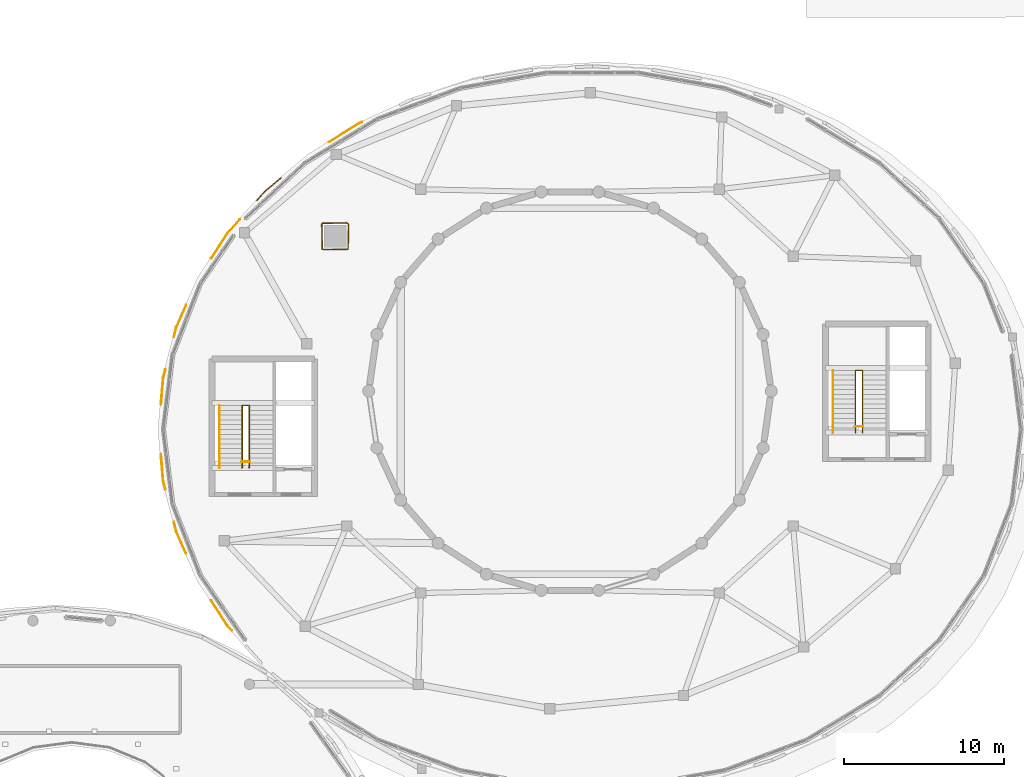
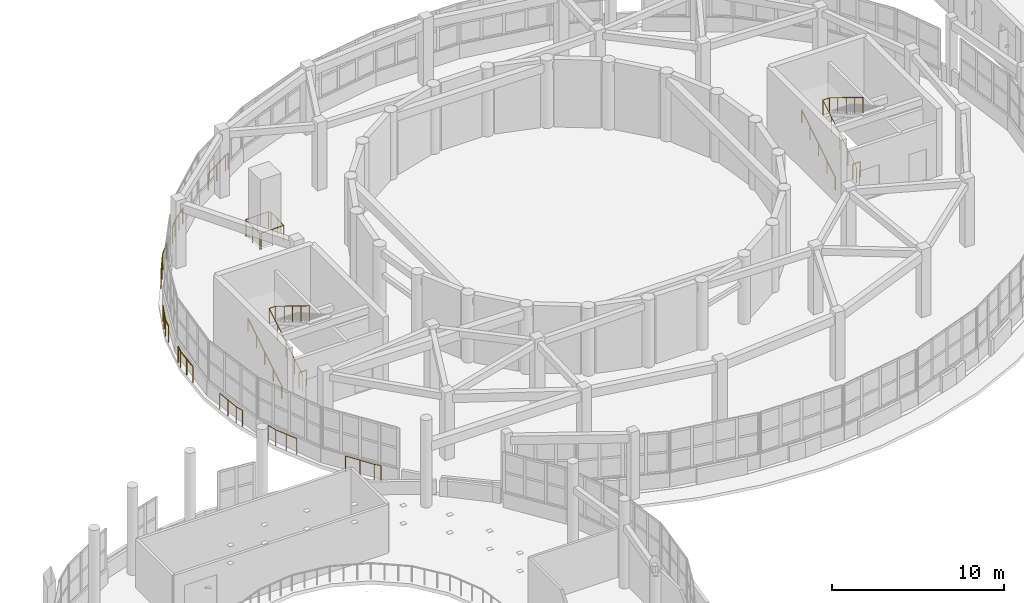
# One storey, part 103 of 105: 16 railings.
"""IFC4 building model written with IfcOpenShell, lengths in metres."""

from ifc_helpers import new_model, si_unit, direction, frame, origin, origin_2d, place, context, subcontext, project, spatial, circle, extrude, material, type_object, element, save


model = new_model("IFC4")

# Units and contexts
model_context = context("Model", 3, precision=1e-05, world=origin(), true_north=direction((0.0, 1.0)))
body_context = subcontext(model_context, "Body", "Model", "MODEL_VIEW")
ifc_project = project(units=[si_unit("LENGTHUNIT", "METRE"), si_unit("AREAUNIT", "SQUARE_METRE"), si_unit("VOLUMEUNIT", "CUBIC_METRE"), si_unit("PLANEANGLEUNIT", "RADIAN"), si_unit("MASSUNIT", "GRAM", prefix="KILO")], contexts=[model_context])

# Site, building, storey
site_placement = place(None, origin())
site = spatial("IfcSite", under=ifc_project, at=site_placement, CompositionType="ELEMENT")
building_placement = place(site_placement, origin())
building = spatial("IfcBuilding", under=site, at=building_placement, Name="Pelvatis Terrace Science Centre", CompositionType="ELEMENT")
storey_placement = place(building_placement, frame((0.0, 0.0, 10.199951171875)))
storey = spatial("IfcBuildingStorey", under=building, at=storey_placement, Name="L02", CompositionType="ELEMENT", Elevation=10.199951171875)

# Railings
ifc_material_1 = material(Name="Bronze-anodised aluminium and laminated safety glass balustrade", Category="aluminium")
railing_type_1 = type_object("IfcRailingType", Name="RLG-BAL-1150", PredefinedType="BALUSTRADE", material=ifc_material_1)
railing_1_placement = place(storey_placement, frame((83.593505859375, 84.960205078125, 0.0)))
element("IfcRailing", 1, at=railing_1_placement, inside=storey, type_object=railing_type_1, Name="Perimeter edge balustrade RLG-EDG-L02-248", PredefinedType="BALUSTRADE", context=body_context, shape_type="SweptSolid", body=[
    extrude(circle(Radius=0.02392578125, at=origin_2d()), frame((0.0, 0.0, 1.1259765625), z_axis=(0.084993175423, 0.996381533416, 0.0), x_axis=(-0.996381533416, 0.084993175423, 0.0)), (0.0, 0.0, 1.0), 1.680419921875),
    extrude(circle(Radius=0.02392578125, at=origin_2d()), frame((0.142822265625, 1.67431640625, 1.1259765625), z_axis=(0.250783542322, 0.968043188551, 0.0), x_axis=(-0.968043188551, 0.250783542322, 0.0)), (0.0, 0.0, 1.0), 0.521728515625),
    extrude(circle(Radius=0.02099609375, at=origin_2d()), origin(), (0.0, 0.0, 1.0), 1.101806640625),
    extrude(circle(Radius=0.02099609375, at=origin_2d()), frame((0.0712890625, 0.837158203125, 0.0)), (0.0, 0.0, 1.0), 1.101806640625),
    extrude(circle(Radius=0.02099609375, at=origin_2d()), frame((0.142822265625, 1.67431640625, 0.0)), (0.0, 0.0, 1.0), 1.101806640625),
    extrude(circle(Radius=0.02099609375, at=origin_2d()), frame((0.273681640625, 2.179443359375, 0.0)), (0.0, 0.0, 1.0), 1.101806640625),
])
railing_2_placement = place(storey_placement, frame((84.4033203125, 89.20556640625, 0.0)))
element("IfcRailing", 2, at=railing_2_placement, inside=storey, type_object=railing_type_1, Name="Perimeter edge balustrade RLG-EDG-L02-249", PredefinedType="BALUSTRADE", context=body_context, shape_type="SweptSolid", body=[
    extrude(circle(Radius=0.02392578125, at=origin_2d()), frame((0.0, 0.0, 1.1259765625), z_axis=(0.251263780133, 0.967918649884, 0.0), x_axis=(-0.967918649884, 0.251263780133, 0.0)), (0.0, 0.0, 1.0), 0.617919921875),
    extrude(circle(Radius=0.02392578125, at=origin_2d()), frame((0.1552734375, 0.59814453125, 1.1259765625), z_axis=(0.406591478377, 0.913610075312, 0.0), x_axis=(-0.913610075312, 0.406591478377, 0.0)), (0.0, 0.0, 1.0), 1.5),
    extrude(circle(Radius=0.02099609375, at=origin_2d()), origin(), (0.0, 0.0, 1.0), 1.101806640625),
    extrude(circle(Radius=0.02099609375, at=origin_2d()), frame((0.1552734375, 0.59814453125, 0.0)), (0.0, 0.0, 1.0), 1.101806640625),
    extrude(circle(Radius=0.02099609375, at=origin_2d()), frame((0.460205078125, 1.283203125, 0.0)), (0.0, 0.0, 1.0), 1.101806640625),
    extrude(circle(Radius=0.02099609375, at=origin_2d()), frame((0.76513671875, 1.968505859375, 0.0)), (0.0, 0.0, 1.0), 1.101806640625),
])
railing_3_placement = place(storey_placement, frame((86.7412109375, 94.1171875, 0.0)))
element("IfcRailing", 3, at=railing_3_placement, inside=storey, type_object=railing_type_1, Name="Perimeter edge balustrade RLG-EDG-L02-250", PredefinedType="BALUSTRADE", context=body_context, shape_type="SweptSolid", body=[
    extrude(circle(Radius=0.02392578125, at=origin_2d()), frame((0.0, 0.0, 1.1259765625), z_axis=(0.545783626932, 0.837926149832, 0.0), x_axis=(-0.837926149832, 0.545783626932, 0.0)), (0.0, 0.0, 1.0), 1.876953125),
    extrude(circle(Radius=0.02392578125, at=origin_2d()), frame((1.0244140625, 1.57275390625, 1.1259765625), z_axis=(0.666062181056, 0.745896219971, 0.0), x_axis=(-0.745896219971, 0.666062181056, 0.0)), (0.0, 0.0, 1.0), 1.14990234375),
    extrude(circle(Radius=0.02099609375, at=origin_2d()), origin(), (0.0, 0.0, 1.0), 1.101806640625),
    extrude(circle(Radius=0.02099609375, at=origin_2d()), frame((0.51220703125, 0.786376953125, 0.0)), (0.0, 0.0, 1.0), 1.101806640625),
    extrude(circle(Radius=0.02099609375, at=origin_2d()), frame((1.0244140625, 1.57275390625, 0.0)), (0.0, 0.0, 1.0), 1.101806640625),
    extrude(circle(Radius=0.02099609375, at=origin_2d()), frame((1.790283203125, 2.430419921875, 0.0)), (0.0, 0.0, 1.0), 1.101806640625),
])
railing_4_placement = place(storey_placement, frame((89.599853515625, 97.743896484375, 0.0)))
element("IfcRailing", 4, at=railing_4_placement, inside=storey, type_object=railing_type_1, Name="Perimeter edge balustrade RLG-EDG-L02-251", PredefinedType="BALUSTRADE", context=body_context, shape_type="SweptSolid", body=[
    extrude(circle(Radius=0.02392578125, at=origin_2d()), frame((0.0, 0.0, 1.1259765625), z_axis=(0.666128902502, 0.745836634426, 0.0), x_axis=(-0.745836634426, 0.666128902502, 0.0)), (0.0, 0.0, 1.0), 0.72900390625),
    extrude(circle(Radius=0.02392578125, at=origin_2d()), frame((0.485595703125, 0.543701171875, 1.1259765625), z_axis=(0.766425920747, 0.642332708187, 0.0), x_axis=(-0.642332708187, 0.766425920747, 0.0)), (0.0, 0.0, 1.0), 1.33984375),
    extrude(circle(Radius=0.02099609375, at=origin_2d()), origin(), (0.0, 0.0, 1.0), 1.101806640625),
    extrude(circle(Radius=0.02099609375, at=origin_2d()), frame((0.485595703125, 0.543701171875, 0.0)), (0.0, 0.0, 1.0), 1.101806640625),
    extrude(circle(Radius=0.02099609375, at=origin_2d()), frame((0.9990234375, 0.97412109375, 0.0)), (0.0, 0.0, 1.0), 1.101806640625),
    extrude(circle(Radius=0.02099609375, at=origin_2d()), frame((1.512451171875, 1.404296875, 0.0)), (0.0, 0.0, 1.0), 1.101806640625),
])
railing_5_placement = place(storey_placement, frame((94.107421875, 101.38818359375, 0.0)))
element("IfcRailing", 5, at=railing_5_placement, inside=storey, type_object=railing_type_1, Name="Perimeter edge balustrade RLG-EDG-L02-252", PredefinedType="BALUSTRADE", context=body_context, shape_type="SweptSolid", body=[
    extrude(circle(Radius=0.02392578125, at=origin_2d()), frame((0.0, 0.0, 1.1259765625), z_axis=(0.847030714317, 0.531543948328, 0.0), x_axis=(-0.531543948328, 0.847030714317, 0.0)), (0.0, 0.0, 1.0), 2.1435546875),
    extrude(circle(Radius=0.02392578125, at=origin_2d()), frame((1.815673828125, 1.139404296875, 1.1259765625), z_axis=(0.909266828315, 0.416213689018, 0.0), x_axis=(-0.416213689018, 0.909266828315, 0.0)), (0.0, 0.0, 1.0), 0.266845703125),
    extrude(circle(Radius=0.02099609375, at=origin_2d()), origin(), (0.0, 0.0, 1.0), 1.101806640625),
    extrude(circle(Radius=0.02099609375, at=origin_2d()), frame((0.90771484375, 0.56982421875, 0.0)), (0.0, 0.0, 1.0), 1.101806640625),
    extrude(circle(Radius=0.02099609375, at=origin_2d()), frame((1.815673828125, 1.139404296875, 0.0)), (0.0, 0.0, 1.0), 1.101806640625),
    extrude(circle(Radius=0.02099609375, at=origin_2d()), frame((2.058349609375, 1.25048828125, 0.0)), (0.0, 0.0, 1.0), 1.101806640625),
])
railing_6_placement = place(storey_placement, frame((88.03662109375, 70.806640625, 0.0)))
element("IfcRailing", 6, at=railing_6_placement, inside=storey, type_object=railing_type_1, Name="Perimeter edge balustrade RLG-EDG-L02-294", PredefinedType="BALUSTRADE", context=body_context, shape_type="SweptSolid", body=[
    extrude(circle(Radius=0.02392578125, at=origin_2d()), frame((0.0, 0.0, 1.1259765625), z_axis=(-0.666075390679, 0.745884423977, 0.0), x_axis=(-0.745884423977, -0.666075390679, 0.0)), (0.0, 0.0, 1.0), 0.40673828125),
    extrude(circle(Radius=0.02392578125, at=origin_2d()), frame((-0.27099609375, 0.303466796875, 1.1259765625), z_axis=(-0.545874943644, 0.837866663558, 0.0), x_axis=(-0.837866663558, -0.545874943644, 0.0)), (0.0, 0.0, 1.0), 1.877197265625),
    extrude(circle(Radius=0.02099609375, at=origin_2d()), origin(), (0.0, 0.0, 1.0), 1.101806640625),
    extrude(circle(Radius=0.02099609375, at=origin_2d()), frame((-0.27099609375, 0.303466796875, 0.0)), (0.0, 0.0, 1.0), 1.101806640625),
    extrude(circle(Radius=0.02099609375, at=origin_2d()), frame((-0.783203125, 1.08984375, 0.0)), (0.0, 0.0, 1.0), 1.101806640625),
    extrude(circle(Radius=0.02099609375, at=origin_2d()), frame((-1.295654296875, 1.876220703125, 0.0)), (0.0, 0.0, 1.0), 1.101806640625),
])
railing_7_placement = place(storey_placement, frame((85.16845703125, 75.6259765625, 0.0)))
element("IfcRailing", 7, at=railing_7_placement, inside=storey, type_object=railing_type_1, Name="Perimeter edge balustrade RLG-EDG-L02-295", PredefinedType="BALUSTRADE", context=body_context, shape_type="SweptSolid", body=[
    extrude(circle(Radius=0.02392578125, at=origin_2d()), frame((0.0, 0.0, 1.1259765625), z_axis=(-0.406591478377, 0.913610075312, 0.0), x_axis=(-0.913610075312, -0.406591478377, 0.0)), (0.0, 0.0, 1.0), 1.5),
    extrude(circle(Radius=0.02392578125, at=origin_2d()), frame((-0.60986328125, 1.370361328125, 1.1259765625), z_axis=(-0.251263780133, 0.967918649884, 0.0), x_axis=(-0.967918649884, -0.251263780133, 0.0)), (0.0, 0.0, 1.0), 0.617919921875),
    extrude(circle(Radius=0.02099609375, at=origin_2d()), origin(), (0.0, 0.0, 1.0), 1.101806640625),
    extrude(circle(Radius=0.02099609375, at=origin_2d()), frame((-0.304931640625, 0.68505859375, 0.0)), (0.0, 0.0, 1.0), 1.101806640625),
    extrude(circle(Radius=0.02099609375, at=origin_2d()), frame((-0.60986328125, 1.370361328125, 0.0)), (0.0, 0.0, 1.0), 1.101806640625),
    extrude(circle(Radius=0.02099609375, at=origin_2d()), frame((-0.76513671875, 1.968505859375, 0.0)), (0.0, 0.0, 1.0), 1.101806640625),
])
railing_8_placement = place(storey_placement, frame((83.8671875, 79.660400390625, 0.0)))
element("IfcRailing", 8, at=railing_8_placement, inside=storey, type_object=railing_type_1, Name="Perimeter edge balustrade RLG-EDG-L02-296", PredefinedType="BALUSTRADE", context=body_context, shape_type="SweptSolid", body=[
    extrude(circle(Radius=0.02392578125, at=origin_2d()), frame((0.0, 0.0, 1.1259765625), z_axis=(-0.250897178901, 0.968013742475, 0.0), x_axis=(-0.968013742475, -0.250897178901, 0.0)), (0.0, 0.0, 1.0), 0.521484375),
    extrude(circle(Radius=0.02392578125, at=origin_2d()), frame((-0.130859375, 0.5048828125, 1.1259765625), z_axis=(-0.084993175423, 0.996381533416, 0.0), x_axis=(-0.996381533416, -0.084993175423, 0.0)), (0.0, 0.0, 1.0), 1.680419921875),
    extrude(circle(Radius=0.02099609375, at=origin_2d()), origin(), (0.0, 0.0, 1.0), 1.101806640625),
    extrude(circle(Radius=0.02099609375, at=origin_2d()), frame((-0.130859375, 0.5048828125, 0.0)), (0.0, 0.0, 1.0), 1.101806640625),
    extrude(circle(Radius=0.02099609375, at=origin_2d()), frame((-0.2021484375, 1.342041015625, 0.0)), (0.0, 0.0, 1.0), 1.101806640625),
    extrude(circle(Radius=0.02099609375, at=origin_2d()), frame((-0.273681640625, 2.17919921875, 0.0)), (0.0, 0.0, 1.0), 1.101806640625),
])
railing_9_placement = place(storey_placement, frame((95.3349609375, 96.235107421875, 0.0)))
element("IfcRailing", 9, at=railing_9_placement, inside=storey, type_object=railing_type_1, Name="Perimeter edge balustrade RLG-EDG-L02-297", PredefinedType="BALUSTRADE", context=body_context, shape_type="SweptSolid", body=[
    extrude(circle(Radius=0.02392578125, at=origin_2d()), frame((0.0, 0.0, 1.1259765625), z_axis=(-0.69740361411, 0.716678588369, 0.0), x_axis=(-0.716678588369, -0.69740361411, 0.0)), (0.0, 0.0, 1.0), 0.139404296875),
    extrude(circle(Radius=0.02392578125, at=origin_2d()), frame((-0.09716796875, 0.099853515625, 1.1259765625), z_axis=(-0.999842712423, -0.017735569178, 0.0), x_axis=(0.017735569178, -0.999842712423, 0.0)), (0.0, 0.0, 1.0), 1.541748046875),
    extrude(circle(Radius=0.02392578125, at=origin_2d()), frame((-1.638671875, 0.072509765625, 1.1259765625), z_axis=(-0.395784388511, -0.918343463967, 0.0), x_axis=(0.918343463967, -0.395784388511, 0.0)), (0.0, 0.0, 1.0), 0.078857421875),
    extrude(circle(Radius=0.02392578125, at=origin_2d()), frame((-1.669921875, 0.0, 1.1259765625), z_axis=(0.017766511544, -0.999842163078, 0.0), x_axis=(0.999842163078, 0.017766511544, 0.0)), (0.0, 0.0, 1.0), 1.5390625),
    extrude(circle(Radius=0.02099609375, at=origin_2d()), origin(), (0.0, 0.0, 1.0), 1.101806640625),
    extrude(circle(Radius=0.02099609375, at=origin_2d()), frame((-0.09716796875, 0.099853515625, 0.0)), (0.0, 0.0, 1.0), 1.101806640625),
    extrude(circle(Radius=0.02099609375, at=origin_2d()), frame((-0.867919921875, 0.086181640625, 0.0)), (0.0, 0.0, 1.0), 1.101806640625),
    extrude(circle(Radius=0.02099609375, at=origin_2d()), frame((-1.638671875, 0.072509765625, 0.0)), (0.0, 0.0, 1.0), 1.101806640625),
    extrude(circle(Radius=0.02099609375, at=origin_2d()), frame((-1.669921875, 0.0, 0.0)), (0.0, 0.0, 1.0), 1.101806640625),
    extrude(circle(Radius=0.02099609375, at=origin_2d()), frame((-1.65625, -0.76953125, 0.0)), (0.0, 0.0, 1.0), 1.101806640625),
    extrude(circle(Radius=0.02099609375, at=origin_2d()), frame((-1.642578125, -1.538818359375, 0.0)), (0.0, 0.0, 1.0), 1.101806640625),
])
railing_10_placement = place(storey_placement, frame((93.6923828125, 94.6962890625, 0.0)))
element("IfcRailing", 10, at=railing_10_placement, inside=storey, type_object=railing_type_1, Name="Perimeter edge balustrade RLG-EDG-L02-298", PredefinedType="BALUSTRADE", context=body_context, shape_type="SweptSolid", body=[
    extrude(circle(Radius=0.02392578125, at=origin_2d()), frame((0.0, 0.0, 1.1259765625), z_axis=(0.918343463967, -0.395784388511, 0.0), x_axis=(0.395784388511, 0.918343463967, 0.0)), (0.0, 0.0, 1.0), 0.078857421875),
    extrude(circle(Radius=0.02392578125, at=origin_2d()), frame((0.072509765625, -0.03125, 1.1259765625), z_axis=(0.999842163078, 0.017766511544, 0.0), x_axis=(-0.017766511544, 0.999842163078, 0.0)), (0.0, 0.0, 1.0), 1.5390625),
    extrude(circle(Radius=0.02392578125, at=origin_2d()), frame((1.611328125, -0.00390625, 1.1259765625), z_axis=(0.020252215155, 0.999794902858, 0.0), x_axis=(-0.999794902858, 0.020252215155, 0.0)), (0.0, 0.0, 1.0), 1.54296875),
    extrude(circle(Radius=0.02099609375, at=origin_2d()), origin(), (0.0, 0.0, 1.0), 1.101806640625),
    extrude(circle(Radius=0.02099609375, at=origin_2d()), frame((0.072509765625, -0.03125, 0.0)), (0.0, 0.0, 1.0), 1.101806640625),
    extrude(circle(Radius=0.02099609375, at=origin_2d()), frame((0.841796875, -0.017578125, 0.0)), (0.0, 0.0, 1.0), 1.101806640625),
    extrude(circle(Radius=0.02099609375, at=origin_2d()), frame((1.611328125, -0.00390625, 0.0)), (0.0, 0.0, 1.0), 1.101806640625),
    extrude(circle(Radius=0.02099609375, at=origin_2d()), frame((1.626953125, 0.767578125, 0.0)), (0.0, 0.0, 1.0), 1.101806640625),
    extrude(circle(Radius=0.02099609375, at=origin_2d()), frame((1.642578125, 1.538818359375, 0.0)), (0.0, 0.0, 1.0), 1.101806640625),
])
ifc_material_2 = material(Name="Brushed architectural bronze tubular railing", Category="steel")
railing_type_2 = type_object("IfcRailingType", Name="RLG-GRD-1120", PredefinedType="GUARDRAIL", material=ifc_material_2)
railing_11_placement = place(storey_placement, frame((88.679931640625, 81.0, 0.0)))
element("IfcRailing", 11, at=railing_11_placement, inside=storey, type_object=railing_type_2, Name="Stair ST-01-L02 inner well guardrail", PredefinedType="GUARDRAIL", context=body_context, shape_type="SweptSolid", body=[
    extrude(circle(Radius=0.02392578125, at=origin_2d()), frame((0.0, 0.0, 1.09619140625), z_axis=(0.0, 0.851638180308, 0.5241301459), x_axis=(-1.0, 0.0, 0.0)), (0.0, 0.0, 1.0), 4.579345703125),
    extrude(circle(Radius=0.02392578125, at=origin_2d()), frame((0.0, 3.89990234375, 3.49609375), z_axis=(1.0, 0.0, 0.0), x_axis=(0.0, 1.0, 0.0)), (0.0, 0.0, 1.0), 0.440185546875),
    extrude(circle(Radius=0.02392578125, at=origin_2d()), frame((0.440185546875, 3.89990234375, 3.49609375), z_axis=(0.0, -0.851661977835, 0.524091476281), x_axis=(1.0, 0.0, 0.0)), (0.0, 0.0, 1.0), 4.5791015625),
    extrude(circle(Radius=0.02099609375, at=origin_2d()), origin(), (0.0, 0.0, 1.0), 1.072021484375),
    extrude(circle(Radius=0.02099609375, at=origin_2d()), frame((0.0, 0.97509765625, 0.60009765625)), (0.0, 0.0, 1.0), 1.072021484375),
    extrude(circle(Radius=0.02099609375, at=origin_2d()), frame((0.0, 1.949951171875, 1.2001953125)), (0.0, 0.0, 1.0), 1.072021484375),
    extrude(circle(Radius=0.02099609375, at=origin_2d()), frame((0.0, 2.9248046875, 1.800048828125)), (0.0, 0.0, 1.0), 1.072021484375),
    extrude(circle(Radius=0.02099609375, at=origin_2d()), frame((0.0, 3.89990234375, 2.400146484375)), (0.0, 0.0, 1.0), 1.072021484375),
    extrude(circle(Radius=0.02099609375, at=origin_2d()), frame((0.440185546875, 3.89990234375, 2.400146484375)), (0.0, 0.0, 1.0), 1.072021484375),
    extrude(circle(Radius=0.02099609375, at=origin_2d()), frame((0.440185546875, 2.9248046875, 3.0)), (0.0, 0.0, 1.0), 1.072021484375),
    extrude(circle(Radius=0.02099609375, at=origin_2d()), frame((0.440185546875, 1.949951171875, 3.60009765625)), (0.0, 0.0, 1.0), 1.072021484375),
    extrude(circle(Radius=0.02099609375, at=origin_2d()), frame((0.440185546875, 0.97509765625, 4.2001953125)), (0.0, 0.0, 1.0), 1.072021484375),
    extrude(circle(Radius=0.02099609375, at=origin_2d()), frame((0.440185546875, 0.0, 4.800048828125)), (0.0, 0.0, 1.0), 1.072021484375),
])
railing_12_placement = place(storey_placement, frame((88.64990234375, 81.3798828125, 0.0)))
element("IfcRailing", 12, at=railing_12_placement, inside=storey, type_object=railing_type_2, Name="Core C1 landing well slot guard (L02)", PredefinedType="GUARDRAIL", context=body_context, shape_type="SweptSolid", body=[
    extrude(circle(Radius=0.02392578125, at=origin_2d()), frame((0.0, 0.0, 1.09619140625), z_axis=(1.0, 0.0, 0.0), x_axis=(0.0, 1.0, 0.0)), (0.0, 0.0, 1.0), 0.5),
    extrude(circle(Radius=0.02099609375, at=origin_2d()), origin(), (0.0, 0.0, 1.0), 1.072021484375),
    extrude(circle(Radius=0.02099609375, at=origin_2d()), frame((0.5, 0.0, 0.0)), (0.0, 0.0, 1.0), 1.072021484375),
])
railing_13_placement = place(storey_placement, frame((127.080078125, 83.199951171875, 0.0)))
element("IfcRailing", 13, at=railing_13_placement, inside=storey, type_object=railing_type_2, Name="Stair ST-02-L02 inner well guardrail", PredefinedType="GUARDRAIL", context=body_context, shape_type="SweptSolid", body=[
    extrude(circle(Radius=0.02392578125, at=origin_2d()), frame((0.0, 0.0, 1.09619140625), z_axis=(0.0, 0.851652825334, 0.524106349037), x_axis=(-1.0, 0.0, 0.0)), (0.0, 0.0, 1.0), 4.57958984375),
    extrude(circle(Radius=0.02392578125, at=origin_2d()), frame((0.0, 3.900146484375, 3.49609375), z_axis=(1.0, 0.0, 0.0), x_axis=(0.0, 1.0, 0.0)), (0.0, 0.0, 1.0), 0.43994140625),
    extrude(circle(Radius=0.02392578125, at=origin_2d()), frame((0.43994140625, 3.900146484375, 3.49609375), z_axis=(0.0, -0.851676621109, 0.524067679844), x_axis=(1.0, 0.0, 0.0)), (0.0, 0.0, 1.0), 4.579345703125),
    extrude(circle(Radius=0.02099609375, at=origin_2d()), origin(), (0.0, 0.0, 1.0), 1.072021484375),
    extrude(circle(Radius=0.02099609375, at=origin_2d()), frame((0.0, 0.97509765625, 0.60009765625)), (0.0, 0.0, 1.0), 1.072021484375),
    extrude(circle(Radius=0.02099609375, at=origin_2d()), frame((0.0, 1.9501953125, 1.2001953125)), (0.0, 0.0, 1.0), 1.072021484375),
    extrude(circle(Radius=0.02099609375, at=origin_2d()), frame((0.0, 2.925048828125, 1.800048828125)), (0.0, 0.0, 1.0), 1.072021484375),
    extrude(circle(Radius=0.02099609375, at=origin_2d()), frame((0.0, 3.900146484375, 2.400146484375)), (0.0, 0.0, 1.0), 1.072021484375),
    extrude(circle(Radius=0.02099609375, at=origin_2d()), frame((0.43994140625, 3.900146484375, 2.400146484375)), (0.0, 0.0, 1.0), 1.072021484375),
    extrude(circle(Radius=0.02099609375, at=origin_2d()), frame((0.43994140625, 2.925048828125, 3.0)), (0.0, 0.0, 1.0), 1.072021484375),
    extrude(circle(Radius=0.02099609375, at=origin_2d()), frame((0.43994140625, 1.9501953125, 3.60009765625)), (0.0, 0.0, 1.0), 1.072021484375),
    extrude(circle(Radius=0.02099609375, at=origin_2d()), frame((0.43994140625, 0.97509765625, 4.2001953125)), (0.0, 0.0, 1.0), 1.072021484375),
    extrude(circle(Radius=0.02099609375, at=origin_2d()), frame((0.43994140625, 0.0, 4.800048828125)), (0.0, 0.0, 1.0), 1.072021484375),
])
railing_14_placement = place(storey_placement, frame((127.050048828125, 83.580078125, 0.0)))
element("IfcRailing", 14, at=railing_14_placement, inside=storey, type_object=railing_type_2, Name="Core C2 landing well slot guard (L02)", PredefinedType="GUARDRAIL", context=body_context, shape_type="SweptSolid", body=[
    extrude(circle(Radius=0.02392578125, at=origin_2d()), frame((0.0, 0.0, 1.09619140625), z_axis=(1.0, 0.0, 0.0), x_axis=(0.0, 1.0, 0.0)), (0.0, 0.0, 1.0), 0.5),
    extrude(circle(Radius=0.02099609375, at=origin_2d()), origin(), (0.0, 0.0, 1.0), 1.072021484375),
    extrude(circle(Radius=0.02099609375, at=origin_2d()), frame((0.5, 0.0, 0.0)), (0.0, 0.0, 1.0), 1.072021484375),
])
ifc_material_3 = material(Name="Brushed architectural bronze tubular railing", Category="steel")
railing_type_3 = type_object("IfcRailingType", Name="RLG-HND-0900", PredefinedType="HANDRAIL", material=ifc_material_3)
railing_15_placement = place(storey_placement, frame((87.260009765625, 81.0, 0.0)))
element("IfcRailing", 15, at=railing_15_placement, inside=storey, type_object=railing_type_3, Name="Stair ST-01-L02 wall handrail", PredefinedType="HANDRAIL", context=body_context, shape_type="SweptSolid", body=[
    extrude(circle(Radius=0.02392578125, at=origin_2d()), frame((0.0, 0.0, 0.8759765625), z_axis=(0.0, 0.851638180308, 0.5241301459), x_axis=(-1.0, 0.0, 0.0)), (0.0, 0.0, 1.0), 4.579345703125),
    extrude(circle(Radius=0.02099609375, at=origin_2d()), origin(), (0.0, 0.0, 1.0), 0.851806640625),
    extrude(circle(Radius=0.02099609375, at=origin_2d()), frame((0.0, 0.97509765625, 0.60009765625)), (0.0, 0.0, 1.0), 0.851806640625),
    extrude(circle(Radius=0.02099609375, at=origin_2d()), frame((0.0, 1.949951171875, 1.2001953125)), (0.0, 0.0, 1.0), 0.851806640625),
    extrude(circle(Radius=0.02099609375, at=origin_2d()), frame((0.0, 2.9248046875, 1.800048828125)), (0.0, 0.0, 1.0), 0.851806640625),
    extrude(circle(Radius=0.02099609375, at=origin_2d()), frame((0.0, 3.89990234375, 2.400146484375)), (0.0, 0.0, 1.0), 0.851806640625),
])
railing_16_placement = place(storey_placement, frame((125.659912109375, 83.199951171875, 0.0)))
element("IfcRailing", 16, at=railing_16_placement, inside=storey, type_object=railing_type_3, Name="Stair ST-02-L02 wall handrail", PredefinedType="HANDRAIL", context=body_context, shape_type="SweptSolid", body=[
    extrude(circle(Radius=0.02392578125, at=origin_2d()), frame((0.0, 0.0, 0.8759765625), z_axis=(0.0, 0.851652825334, 0.524106349037), x_axis=(-1.0, 0.0, 0.0)), (0.0, 0.0, 1.0), 4.57958984375),
    extrude(circle(Radius=0.02099609375, at=origin_2d()), origin(), (0.0, 0.0, 1.0), 0.851806640625),
    extrude(circle(Radius=0.02099609375, at=origin_2d()), frame((0.0, 0.97509765625, 0.60009765625)), (0.0, 0.0, 1.0), 0.851806640625),
    extrude(circle(Radius=0.02099609375, at=origin_2d()), frame((0.0, 1.9501953125, 1.2001953125)), (0.0, 0.0, 1.0), 0.851806640625),
    extrude(circle(Radius=0.02099609375, at=origin_2d()), frame((0.0, 2.925048828125, 1.800048828125)), (0.0, 0.0, 1.0), 0.851806640625),
    extrude(circle(Radius=0.02099609375, at=origin_2d()), frame((0.0, 3.900146484375, 2.400146484375)), (0.0, 0.0, 1.0), 0.851806640625),
])

save(model, "model.ifc")
